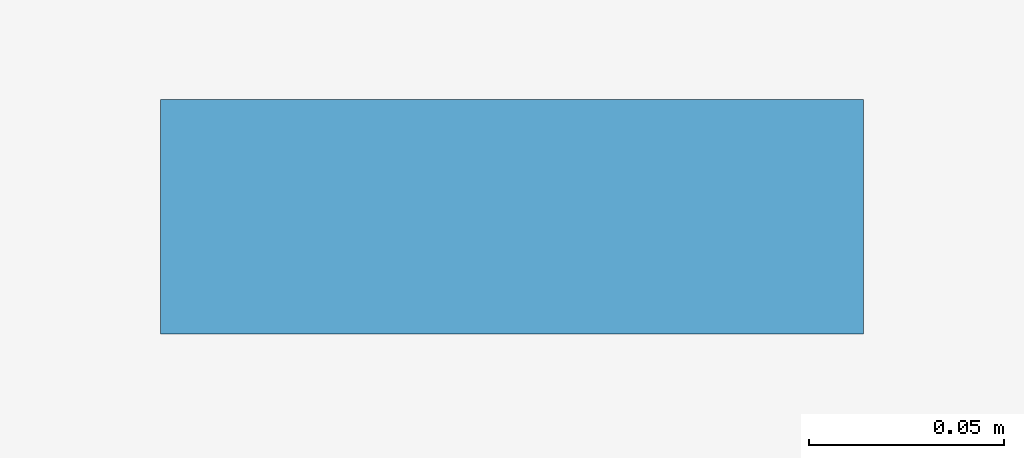
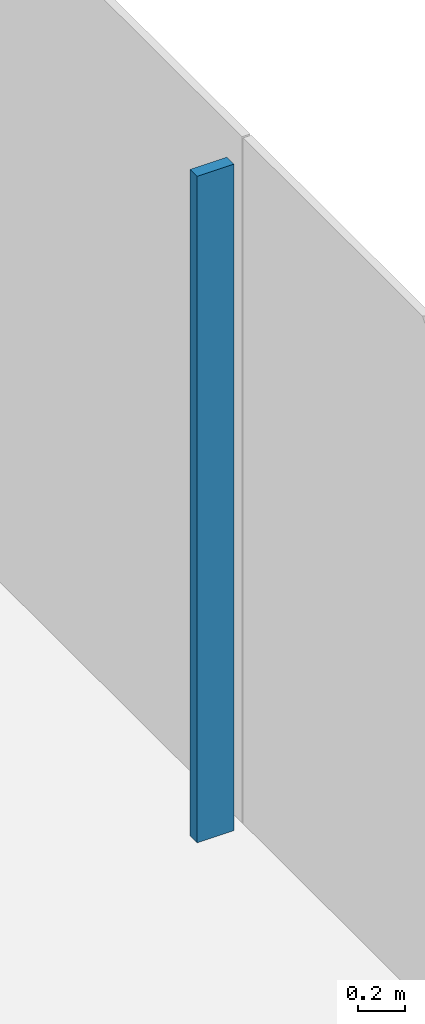
# One storey, part 8 of 21: 1 member, 1 element without a shape of its own.
"""IFC4 building model written with IfcOpenShell, lengths in metres."""

from ifc_helpers import new_model, si_unit, direction, frame, origin, origin_2d, place, context, subcontext, project, spatial, rectangle, extrude, material, layer, layer_set, material_profile, profile_set, type_object, element, aggregate, save


model = new_model("IFC4")

# Units and contexts
model_context = context("Model", 3, precision=1e-05, world=origin(), true_north=direction((0.0, 1.0)))
body_context = subcontext(model_context, "Body", "Model", "MODEL_VIEW")
ifc_project = project(units=[si_unit("LENGTHUNIT", "METRE"), si_unit("AREAUNIT", "SQUARE_METRE"), si_unit("VOLUMEUNIT", "CUBIC_METRE"), si_unit("PLANEANGLEUNIT", "RADIAN"), si_unit("MASSUNIT", "GRAM", prefix="KILO")], contexts=[model_context])

# Site, building, storey
site_placement = place(None, origin())
site = spatial("IfcSite", under=ifc_project, at=site_placement, CompositionType="ELEMENT")
building_placement = place(site_placement, origin())
building = spatial("IfcBuilding", under=site, at=building_placement, Name="Shamsa Quay Exchange Towers", CompositionType="ELEMENT")
storey_placement = place(building_placement, frame((0.0, 0.0, 45.89990234375)))
storey = spatial("IfcBuildingStorey", under=building, at=storey_placement, Name="L09", CompositionType="ELEMENT", Elevation=45.89990234375)

# Curtain wall, member
ifc_material = material(Name="Aluminium EN AW-6063 T6, black anodised", Category="aluminium")
ifc_layer = layer(ifc_material, 0.280029296875)
ifc_layer_set = layer_set([ifc_layer], Name="CW-1 UNITISED VISION GLASS")
curtain_wall_type = type_object("IfcCurtainWallType", Name="CW-1 UNITISED VISION GLASS", PredefinedType="NOTDEFINED", material=ifc_layer_set)
curtain_wall_placement = place(storey_placement, origin())
curtain_wall = element("IfcCurtainWall", 1, at=curtain_wall_placement, inside=storey, type_object=curtain_wall_type, Name="CW1 T2-END-V- L09", PredefinedType="NOTDEFINED")
ifc_material_profile = material_profile(ifc_material, rectangle(XDim=0.179931640625, YDim=0.06005859375, at=origin_2d()), Name="MU60x180")
ifc_profile_set = profile_set([ifc_material_profile], Name="Aluminium EN AW-6063 T6, black anodised")
member_type = type_object("IfcMemberType", Name="CW1 MULLION 60x180", PredefinedType="MULLION", material=ifc_profile_set)
member_placement = place(storey_placement, frame((62.85009765625, 2.25, 0.0), z_axis=(0.0, 0.0, 1.0), x_axis=(-1.0, 0.0, 0.0)))
member = element("IfcMember", 2, at=member_placement, type_object=member_type, Name="CW1 mullion", PredefinedType="MULLION", context=body_context, shape_type="SweptSolid", body=[
    extrude(rectangle(XDim=0.179931640625, YDim=0.06005859375, at=origin_2d()), origin(), (0.0, 0.0, 1.0), 3.4501953125),
])
aggregate(curtain_wall, [member])

save(model, "model.ifc")
